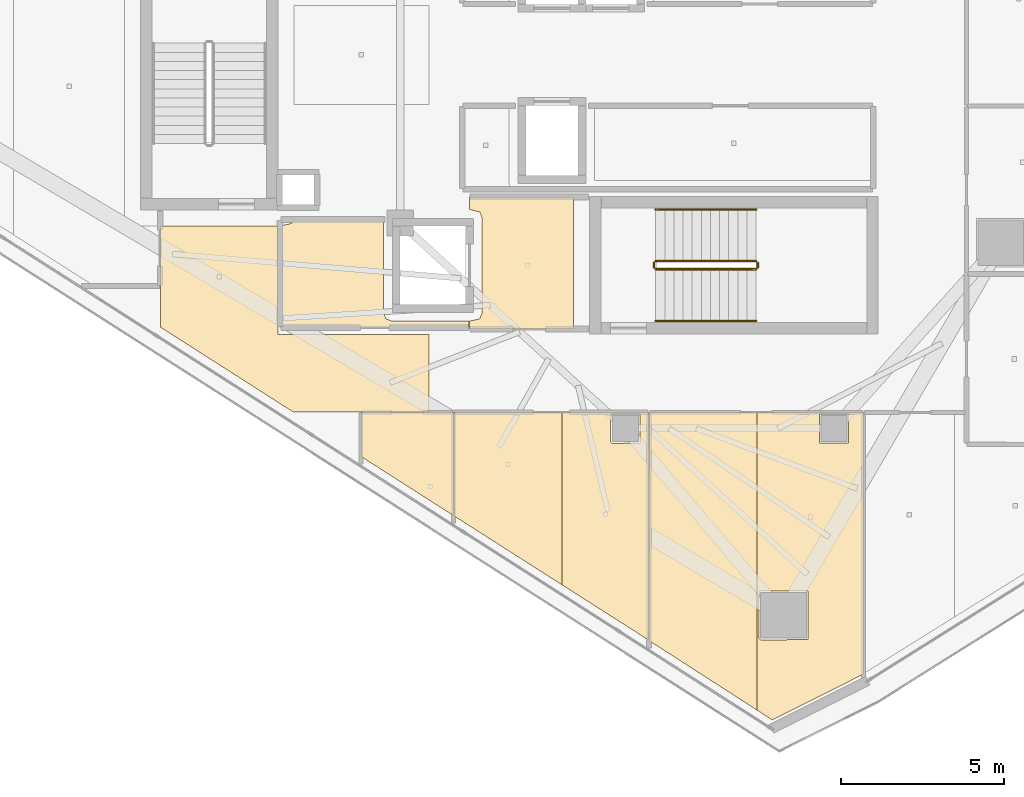
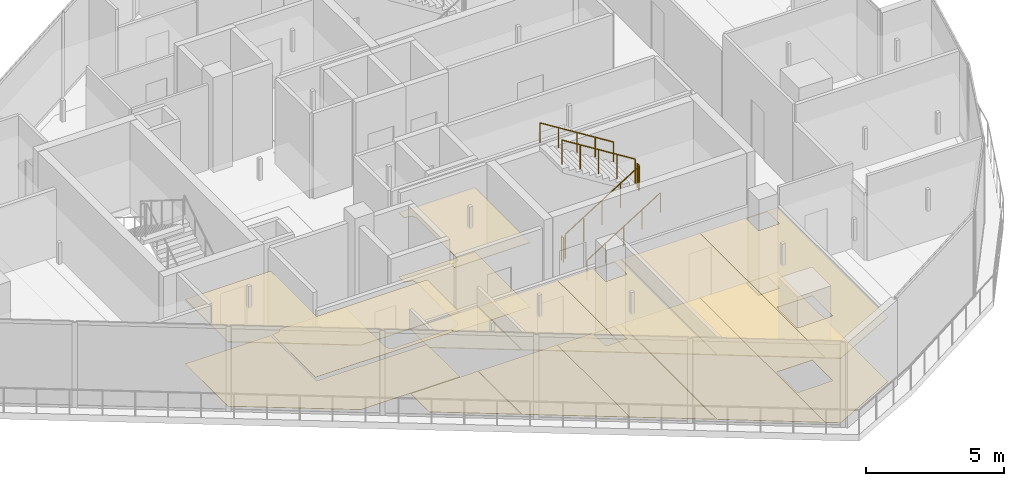
# One storey, part 22 of 26: 15 coverings, 6 railings.
"""IFC4 building model written with IfcOpenShell, lengths in metres."""

from ifc_helpers import new_model, si_unit, direction, frame, origin, origin_2d, place, context, subcontext, project, spatial, polyline, circle, outline, extrude, material, layer, layer_set, type_object, element, save


model = new_model("IFC4")

# Units and contexts
model_context = context("Model", 3, precision=1e-05, world=origin(), true_north=direction((0.0, 1.0)))
body_context = subcontext(model_context, "Body", "Model", "MODEL_VIEW")
ifc_project = project(units=[si_unit("LENGTHUNIT", "METRE"), si_unit("AREAUNIT", "SQUARE_METRE"), si_unit("VOLUMEUNIT", "CUBIC_METRE"), si_unit("PLANEANGLEUNIT", "RADIAN"), si_unit("MASSUNIT", "GRAM", prefix="KILO")], contexts=[model_context])

# Site, building, storey
site_placement = place(None, origin())
site = spatial("IfcSite", under=ifc_project, at=site_placement, CompositionType="ELEMENT")
building_placement = place(site_placement, origin())
building = spatial("IfcBuilding", under=site, at=building_placement, Name="Qorvath Tower", CompositionType="ELEMENT")
storey_placement = place(building_placement, frame((0.0, 0.0, 322.800048828125)))
storey = spatial("IfcBuildingStorey", under=building, at=storey_placement, Name="L75", CompositionType="ELEMENT", Elevation=322.800048828125)

# Coverings
ifc_material_1 = material(Name="Acoustic mineral fibre ceiling tile", Category="gypsum")
ifc_layer_1 = layer(ifc_material_1, 0.030029296875)
ifc_layer_set_1 = layer_set([ifc_layer_1], Name="COV-CEIL")
covering_type_1 = type_object("IfcCoveringType", Name="COV-CEIL", PredefinedType="CEILING", material=ifc_layer_set_1)
covering_1_placement = place(storey_placement, frame((0.0, 0.0, 2.849853515625)))
element("IfcCovering", 1, at=covering_1_placement, inside=storey, type_object=covering_type_1, Name="L75 Suspended Acoustic Ceiling 002", PredefinedType="CEILING", context=body_context, shape_type="SweptSolid", body=[
    extrude(outline(polyline([(-25.18994140625, -8.39501953125), (-25.18994140625, -4.35498046875), (-28.375, -4.35498046875), (-28.375, -4.739990234375), (-28.063232421875, -4.813232421875), (-27.989990234375, -4.989990234375), (-27.989990234375, -7.909912109375), (-28.063232421875, -8.086669921875), (-28.375, -8.159912109375), (-28.375, -8.39501953125), (-25.18994140625, -8.39501953125)])), origin(), (0.0, 0.0, 1.0), 0.030029296875),
])
covering_2_placement = place(storey_placement, frame((0.0, 0.0, 2.849853515625)))
element("IfcCovering", 2, at=covering_2_placement, inside=storey, type_object=covering_type_1, Name="L75 Suspended Acoustic Ceiling 010", PredefinedType="CEILING", context=body_context, shape_type="SweptSolid", body=[
    extrude(outline(polyline([(-34.25, -8.56494140625), (-34.2548828125, -5.239990234375), (-37.844970703125, -5.239990234375), (-37.844970703125, -8.346435546875), (-33.779296875, -10.945068359375), (-29.614990234375, -10.945068359375), (-29.614990234375, -8.564453125), (-34.25, -8.56494140625)])), origin(), (0.0, 0.0, 1.0), 0.030029296875),
])
covering_3_placement = place(storey_placement, frame((0.0, 0.0, 2.849853515625)))
element("IfcCovering", 3, at=covering_3_placement, inside=storey, type_object=covering_type_1, Name="L75 Suspended Acoustic Ceiling 019", PredefinedType="CEILING", context=body_context, shape_type="SweptSolid", body=[
    extrude(outline(polyline([(-31.69140625, -12.31494140625), (-28.8720703125, -14.116943359375), (-28.8720703125, -10.962890625), (-31.69140625, -10.962890625), (-31.69140625, -12.31494140625)])), origin(), (0.0, 0.0, 1.0), 0.030029296875),
])
covering_4_placement = place(storey_placement, frame((0.0, 0.0, 2.849853515625)))
element("IfcCovering", 4, at=covering_4_placement, inside=storey, type_object=covering_type_1, Name="L75 Suspended Acoustic Ceiling 020", PredefinedType="CEILING", context=body_context, shape_type="SweptSolid", body=[
    extrude(outline(polyline([(-28.85400390625, -14.12841796875), (-25.544677734375, -16.23974609375), (-25.544677734375, -10.962890625), (-28.85400390625, -10.962890625), (-28.85400390625, -14.12841796875)])), origin(), (0.0, 0.0, 1.0), 0.030029296875),
])
covering_5_placement = place(storey_placement, frame((0.0, 0.0, 2.849853515625)))
element("IfcCovering", 5, at=covering_5_placement, inside=storey, type_object=covering_type_1, Name="L75 Suspended Acoustic Ceiling 021", PredefinedType="CEILING", context=body_context, shape_type="SweptSolid", body=[
    extrude(outline(polyline([(-25.544677734375, -10.962890625), (-25.544677734375, -16.23974609375), (-22.880615234375, -17.939697265625), (-22.882080078125, -10.962890625), (-25.544677734375, -10.962890625)]), holes=[polyline([(-24.0, -11.909912109375), (-24.06005859375, -11.85009765625), (-24.04248046875, -11.007568359375), (-23.157470703125, -11.007568359375), (-23.157470703125, -11.892333984375), (-24.0, -11.909912109375)])]), origin(), (0.0, 0.0, 1.0), 0.030029296875),
])
covering_6_placement = place(storey_placement, frame((0.0, 0.0, 2.849853515625)))
element("IfcCovering", 6, at=covering_6_placement, inside=storey, type_object=covering_type_1, Name="L75 Suspended Acoustic Ceiling 022", PredefinedType="CEILING", context=body_context, shape_type="SweptSolid", body=[
    extrude(outline(polyline([(-22.87353515625, -17.95068359375), (-19.5673828125, -20.080322265625), (-19.5673828125, -10.962890625), (-22.864013671875, -10.962890625), (-22.87353515625, -17.95068359375)])), origin(), (0.0, 0.0, 1.0), 0.030029296875),
])
covering_7_placement = place(storey_placement, frame((0.0, 0.0, 2.849853515625)))
element("IfcCovering", 7, at=covering_7_placement, inside=storey, type_object=covering_type_1, Name="L75 Suspended Acoustic Ceiling 023", PredefinedType="CEILING", context=body_context, shape_type="SweptSolid", body=[
    extrude(outline(polyline([(-19.5673828125, -10.962890625), (-19.5673828125, -20.080322265625), (-19.09765625, -20.3828125), (-16.302490234375, -18.97998046875), (-16.3017578125, -10.962890625), (-19.5673828125, -10.962890625)]), holes=[polyline([(-17.642333984375, -11.892333984375), (-17.642333984375, -11.007568359375), (-16.757568359375, -11.007568359375), (-16.757568359375, -11.892333984375), (-17.642333984375, -11.892333984375)]), polyline([(-19.45068359375, -17.935546875), (-19.510498046875, -17.87548828125), (-19.492919921875, -16.43310546875), (-18.008056640625, -16.43310546875), (-18.008056640625, -17.91796875), (-19.45068359375, -17.935546875)])]), origin(), (0.0, 0.0, 1.0), 0.030029296875),
])
ifc_material_2 = material(Name="Low-VOC modular carpet tile", Category="textile")
ifc_layer_2 = layer(ifc_material_2, 0.014892578125)
ifc_layer_set_2 = layer_set([ifc_layer_2], Name="COV-FLOOR-CPT")
covering_type_2 = type_object("IfcCoveringType", Name="COV-FLOOR-CPT", PredefinedType="FLOORING", material=ifc_layer_set_2)
covering_8_placement = place(storey_placement, origin())
element("IfcCovering", 8, at=covering_8_placement, inside=storey, type_object=covering_type_2, Name="L75 Floor Finish 008", PredefinedType="FLOORING", context=body_context, shape_type="SweptSolid", body=[
    extrude(outline(polyline([(-33.786865234375, -5.054931640625), (-33.833251953125, -5.166748046875), (-34.175048828125, -5.239990234375), (-34.175048828125, -8.344970703125), (-28.39306640625, -8.344970703125), (-28.39306640625, -8.159912109375), (-30.760009765625, -8.159912109375), (-30.936767578125, -8.086669921875), (-31.010009765625, -7.909912109375), (-31.010009765625, -5.054931640625), (-33.786865234375, -5.054931640625)])), origin(), (0.0, 0.0, 1.0), 0.014892578125),
])
covering_9_placement = place(storey_placement, origin())
element("IfcCovering", 9, at=covering_9_placement, inside=storey, type_object=covering_type_2, Name="L75 Floor Finish 019", PredefinedType="FLOORING", context=body_context, shape_type="SweptSolid", body=[
    extrude(outline(polyline([(-31.69140625, -12.31494140625), (-28.8720703125, -14.116943359375), (-28.8720703125, -10.962890625), (-31.69140625, -10.962890625), (-31.69140625, -12.31494140625)])), origin(), (0.0, 0.0, 1.0), 0.014892578125),
])
covering_10_placement = place(storey_placement, origin())
element("IfcCovering", 10, at=covering_10_placement, inside=storey, type_object=covering_type_2, Name="L75 Floor Finish 020", PredefinedType="FLOORING", context=body_context, shape_type="SweptSolid", body=[
    extrude(outline(polyline([(-28.85400390625, -14.12841796875), (-25.544677734375, -16.23974609375), (-25.544677734375, -10.962890625), (-28.85400390625, -10.962890625), (-28.85400390625, -14.12841796875)])), origin(), (0.0, 0.0, 1.0), 0.014892578125),
])
covering_11_placement = place(storey_placement, origin())
element("IfcCovering", 11, at=covering_11_placement, inside=storey, type_object=covering_type_2, Name="L75 Floor Finish 021", PredefinedType="FLOORING", context=body_context, shape_type="SweptSolid", body=[
    extrude(outline(polyline([(-25.544677734375, -10.962890625), (-25.544677734375, -16.23974609375), (-22.880615234375, -17.939697265625), (-22.882080078125, -10.962890625), (-25.544677734375, -10.962890625)]), holes=[polyline([(-24.0, -11.909912109375), (-24.06005859375, -11.85009765625), (-24.04248046875, -11.007568359375), (-23.157470703125, -11.007568359375), (-23.157470703125, -11.892333984375), (-24.0, -11.909912109375)])]), origin(), (0.0, 0.0, 1.0), 0.014892578125),
])
covering_12_placement = place(storey_placement, origin())
element("IfcCovering", 12, at=covering_12_placement, inside=storey, type_object=covering_type_2, Name="L75 Floor Finish 022", PredefinedType="FLOORING", context=body_context, shape_type="SweptSolid", body=[
    extrude(outline(polyline([(-22.87353515625, -17.95068359375), (-19.5673828125, -20.080322265625), (-19.5673828125, -10.962890625), (-22.864013671875, -10.962890625), (-22.87353515625, -17.95068359375)])), origin(), (0.0, 0.0, 1.0), 0.014892578125),
])
covering_13_placement = place(storey_placement, origin())
element("IfcCovering", 13, at=covering_13_placement, inside=storey, type_object=covering_type_2, Name="L75 Floor Finish 023", PredefinedType="FLOORING", context=body_context, shape_type="SweptSolid", body=[
    extrude(outline(polyline([(-19.5673828125, -10.962890625), (-19.5673828125, -20.080322265625), (-19.09765625, -20.3828125), (-16.302490234375, -18.97998046875), (-16.3017578125, -10.962890625), (-19.5673828125, -10.962890625)]), holes=[polyline([(-17.642333984375, -11.892333984375), (-17.642333984375, -11.007568359375), (-16.757568359375, -11.007568359375), (-16.757568359375, -11.892333984375), (-17.642333984375, -11.892333984375)]), polyline([(-19.45068359375, -17.935546875), (-19.510498046875, -17.87548828125), (-19.492919921875, -16.43310546875), (-18.008056640625, -16.43310546875), (-18.008056640625, -17.91796875), (-19.45068359375, -17.935546875)])]), origin(), (0.0, 0.0, 1.0), 0.014892578125),
])
ifc_material_3 = material(Name="Polished epoxy terrazzo flooring", Category="concrete")
ifc_layer_3 = layer(ifc_material_3, 0.02001953125)
ifc_layer_set_3 = layer_set([ifc_layer_3], Name="COV-FLOOR-TRZ")
covering_type_3 = type_object("IfcCoveringType", Name="COV-FLOOR-TRZ", PredefinedType="FLOORING", material=ifc_layer_set_3)
covering_14_placement = place(storey_placement, origin())
element("IfcCovering", 14, at=covering_14_placement, inside=storey, type_object=covering_type_3, Name="L75 Floor Finish 002", PredefinedType="FLOORING", context=body_context, shape_type="SweptSolid", body=[
    extrude(outline(polyline([(-25.18994140625, -8.39501953125), (-25.18994140625, -4.35498046875), (-28.375, -4.35498046875), (-28.375, -4.739990234375), (-28.063232421875, -4.813232421875), (-27.989990234375, -4.989990234375), (-27.989990234375, -7.909912109375), (-28.063232421875, -8.086669921875), (-28.375, -8.159912109375), (-28.375, -8.39501953125), (-25.18994140625, -8.39501953125)])), origin(), (0.0, 0.0, 1.0), 0.014892578125),
])
covering_15_placement = place(storey_placement, origin())
element("IfcCovering", 15, at=covering_15_placement, inside=storey, type_object=covering_type_3, Name="L75 Floor Finish 010", PredefinedType="FLOORING", context=body_context, shape_type="SweptSolid", body=[
    extrude(outline(polyline([(-34.25, -8.56494140625), (-34.2548828125, -5.239990234375), (-37.844970703125, -5.239990234375), (-37.844970703125, -8.346435546875), (-33.779296875, -10.945068359375), (-29.614990234375, -10.945068359375), (-29.614990234375, -8.564453125), (-34.25, -8.56494140625)])), origin(), (0.0, 0.0, 1.0), 0.014892578125),
])

# Railings
ifc_material_4 = material(Name="Painted galvanised steel", Category="steel")
railing_type_1 = type_object("IfcRailingType", Name="RL-STR-GRD", PredefinedType="GUARDRAIL", material=ifc_material_4)
railing_1_placement = place(storey_placement, frame((-22.669921875, -6.570068359375, 0.175048828125)))
element("IfcRailing", 16, at=railing_1_placement, inside=storey, type_object=railing_type_1, Name="L75 TS2 stair guard 1", PredefinedType="GUARDRAIL", context=body_context, shape_type="SweptSolid", body=[
    extrude(circle(Radius=0.02392578125, at=origin_2d()), frame((0.0, 0.0, 1.076171875), z_axis=(0.848009633417, 0.0, 0.529980812513), x_axis=(0.0, 1.0, 0.0)), (0.0, 0.0, 1.0), 3.6318359375),
    extrude(circle(Radius=0.02099609375, at=origin_2d()), origin(), (0.0, 0.0, 1.0), 1.052001953125),
    extrude(circle(Radius=0.02099609375, at=origin_2d()), frame((0.77001953125, 0.0, 0.481201171875)), (0.0, 0.0, 1.0), 1.052001953125),
    extrude(circle(Radius=0.02099609375, at=origin_2d()), frame((1.5400390625, 0.0, 0.96240234375)), (0.0, 0.0, 1.0), 1.052001953125),
    extrude(circle(Radius=0.02099609375, at=origin_2d()), frame((2.309814453125, 0.0, 1.443603515625)), (0.0, 0.0, 1.0), 1.052001953125),
    extrude(circle(Radius=0.02099609375, at=origin_2d()), frame((3.079833984375, 0.0, 1.9248046875)), (0.0, 0.0, 1.0), 1.052001953125),
])
railing_2_placement = place(storey_placement, frame((-19.5400390625, -6.52001953125, 2.099853515625)))
element("IfcRailing", 17, at=railing_2_placement, inside=storey, type_object=railing_type_1, Name="L75 TS2 stair guard 2", PredefinedType="GUARDRAIL", context=body_context, shape_type="SweptSolid", body=[
    extrude(circle(Radius=0.02392578125, at=origin_2d()), frame((0.0, 0.0, 1.076171875), z_axis=(0.0, 1.0, 0.0), x_axis=(-1.0, 0.0, 0.0)), (0.0, 0.0, 1.0), 0.14990234375),
    extrude(circle(Radius=0.02099609375, at=origin_2d()), origin(), (0.0, 0.0, 1.0), 1.052001953125),
    extrude(circle(Radius=0.02099609375, at=origin_2d()), frame((0.0, 0.14990234375, 0.0)), (0.0, 0.0, 1.0), 1.052001953125),
])
railing_3_placement = place(storey_placement, frame((-19.590087890625, -6.320068359375, 2.27490234375)))
element("IfcRailing", 18, at=railing_3_placement, inside=storey, type_object=railing_type_1, Name="L75 TS2 stair guard 3", PredefinedType="GUARDRAIL", context=body_context, shape_type="SweptSolid", body=[
    extrude(circle(Radius=0.02392578125, at=origin_2d()), frame((0.0, 0.0, 1.076171875), z_axis=(-0.847979421464, 0.0, 0.530029150871), x_axis=(0.0, -1.0, 0.0)), (0.0, 0.0, 1.0), 3.632080078125),
    extrude(circle(Radius=0.02099609375, at=origin_2d()), origin(), (0.0, 0.0, 1.0), 1.052001953125),
    extrude(circle(Radius=0.02099609375, at=origin_2d()), frame((-0.77001953125, 0.0, 0.481201171875)), (0.0, 0.0, 1.0), 1.052001953125),
    extrude(circle(Radius=0.02099609375, at=origin_2d()), frame((-1.5400390625, 0.0, 0.96240234375)), (0.0, 0.0, 1.0), 1.052001953125),
    extrude(circle(Radius=0.02099609375, at=origin_2d()), frame((-2.309814453125, 0.0, 1.44384765625)), (0.0, 0.0, 1.0), 1.052001953125),
    extrude(circle(Radius=0.02099609375, at=origin_2d()), frame((-3.079833984375, 0.0, 1.925048828125)), (0.0, 0.0, 1.0), 1.052001953125),
])
railing_4_placement = place(storey_placement, frame((-22.719970703125, -6.52001953125, 0.0)))
element("IfcRailing", 19, at=railing_4_placement, inside=storey, type_object=railing_type_1, Name="L75 TS2 stair guard 4", PredefinedType="GUARDRAIL", context=body_context, shape_type="SweptSolid", body=[
    extrude(circle(Radius=0.02392578125, at=origin_2d()), frame((0.0, 0.0, 1.076171875), z_axis=(0.0, 1.0, 0.0), x_axis=(-1.0, 0.0, 0.0)), (0.0, 0.0, 1.0), 0.14990234375),
    extrude(circle(Radius=0.02099609375, at=origin_2d()), origin(), (0.0, 0.0, 1.0), 1.052001953125),
    extrude(circle(Radius=0.02099609375, at=origin_2d()), frame((0.0, 0.14990234375, 0.0)), (0.0, 0.0, 1.0), 1.052001953125),
])
ifc_material_5 = material(Name="Brushed stainless steel AISI 304", Category="steel")
railing_type_2 = type_object("IfcRailingType", Name="RL-STR-HND", PredefinedType="HANDRAIL", material=ifc_material_5)
railing_5_placement = place(storey_placement, frame((-22.669921875, -8.14990234375, 0.175048828125)))
element("IfcRailing", 20, at=railing_5_placement, inside=storey, type_object=railing_type_2, Name="L75 TS2 stair handrail 1", PredefinedType="HANDRAIL", context=body_context, shape_type="SweptSolid", body=[
    extrude(circle(Radius=0.02392578125, at=origin_2d()), frame((0.0, 0.0, 0.8759765625), z_axis=(0.848009633417, 0.0, 0.529980812513), x_axis=(0.0, 1.0, 0.0)), (0.0, 0.0, 1.0), 3.6318359375),
    extrude(circle(Radius=0.02099609375, at=origin_2d()), origin(), (0.0, 0.0, 1.0), 0.851806640625),
    extrude(circle(Radius=0.02099609375, at=origin_2d()), frame((0.77001953125, 0.0, 0.481201171875)), (0.0, 0.0, 1.0), 0.851806640625),
    extrude(circle(Radius=0.02099609375, at=origin_2d()), frame((1.5400390625, 0.0, 0.96240234375)), (0.0, 0.0, 1.0), 0.851806640625),
    extrude(circle(Radius=0.02099609375, at=origin_2d()), frame((2.309814453125, 0.0, 1.443603515625)), (0.0, 0.0, 1.0), 0.851806640625),
    extrude(circle(Radius=0.02099609375, at=origin_2d()), frame((3.079833984375, 0.0, 1.9248046875)), (0.0, 0.0, 1.0), 0.851806640625),
])
railing_6_placement = place(storey_placement, frame((-19.590087890625, -4.739990234375, 2.27490234375)))
element("IfcRailing", 21, at=railing_6_placement, inside=storey, type_object=railing_type_2, Name="L75 TS2 stair handrail 2", PredefinedType="HANDRAIL", context=body_context, shape_type="SweptSolid", body=[
    extrude(circle(Radius=0.02392578125, at=origin_2d()), frame((0.0, 0.0, 0.8759765625), z_axis=(-0.847979421464, 0.0, 0.530029150871), x_axis=(0.0, -1.0, 0.0)), (0.0, 0.0, 1.0), 3.632080078125),
    extrude(circle(Radius=0.02099609375, at=origin_2d()), origin(), (0.0, 0.0, 1.0), 0.851806640625),
    extrude(circle(Radius=0.02099609375, at=origin_2d()), frame((-0.77001953125, 0.0, 0.481201171875)), (0.0, 0.0, 1.0), 0.851806640625),
    extrude(circle(Radius=0.02099609375, at=origin_2d()), frame((-1.5400390625, 0.0, 0.96240234375)), (0.0, 0.0, 1.0), 0.851806640625),
    extrude(circle(Radius=0.02099609375, at=origin_2d()), frame((-2.309814453125, 0.0, 1.44384765625)), (0.0, 0.0, 1.0), 0.851806640625),
    extrude(circle(Radius=0.02099609375, at=origin_2d()), frame((-3.079833984375, 0.0, 1.925048828125)), (0.0, 0.0, 1.0), 0.851806640625),
])

save(model, "model.ifc")
